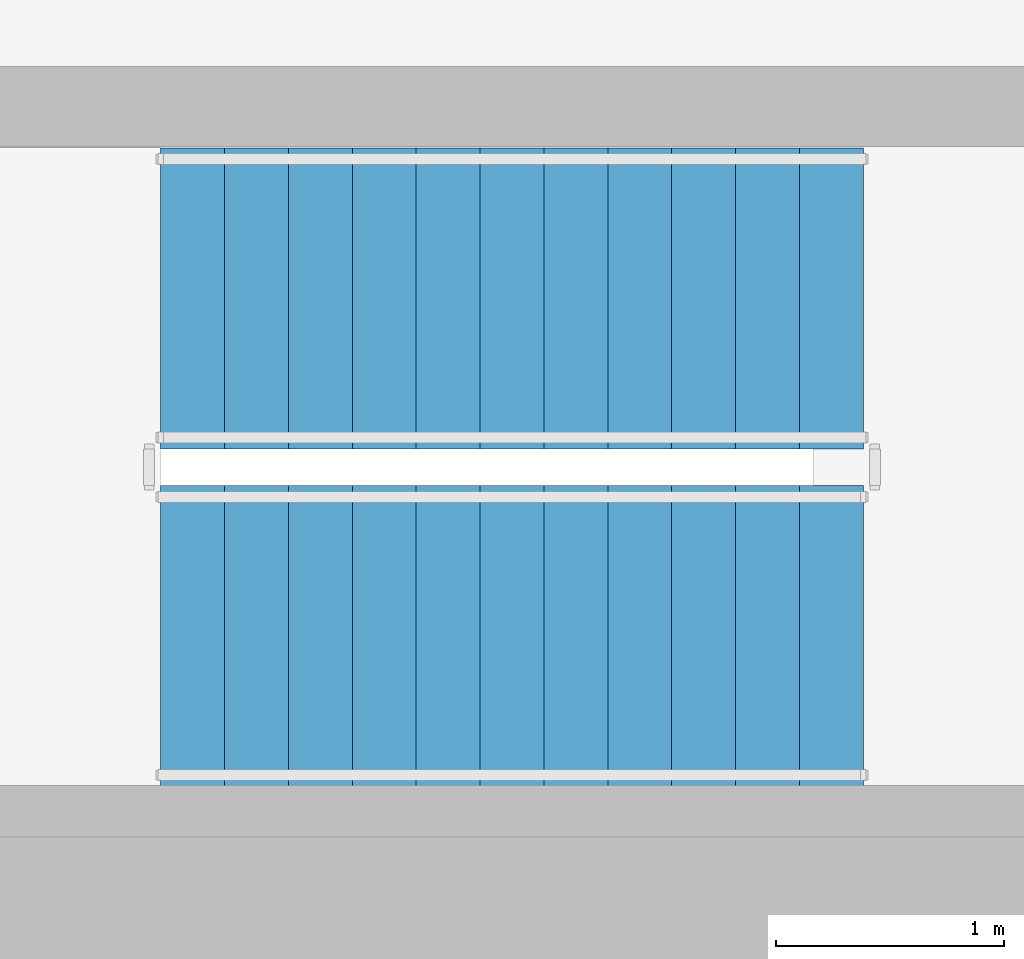
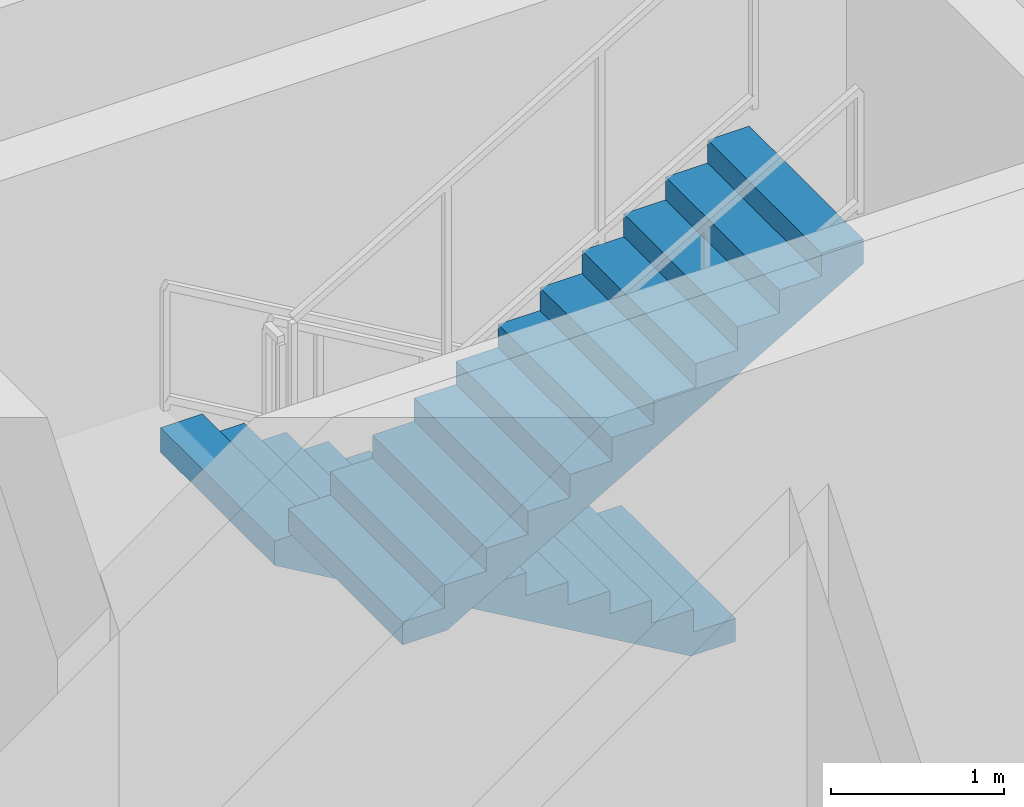
# One storey, part 24 of 27: 2 stair flights, 1 element without a shape of its own.
"""IFC4 building model written with IfcOpenShell, lengths in metres."""

import ifcopenshell
import ifcopenshell.guid

model = None  # the IFC model being written
_history = None  # IfcOwnerHistory: only IFC2X3 demands one
_inside = {}  # id of a spatial element -> (the spatial element, [elements in it])
_under = {}  # id of a project, library or spatial element -> (it, [spatial elements below it])
_declared = {}  # id of a project -> (the project, [libraries it declares])
_typed = {}  # id of a type object -> (the type object, [elements of that type])
_made_of = {}  # id of a material, layer set ... -> (it, [elements and type objects made of it])


def new_model(schema):
    """Start an empty IFC model of exactly this schema.

    Asked for "IFC4X3", IfcOpenShell would pick the latest addendum, in which some entities
    have other attributes; the version numbers below select the first issue.
    IFC2X3 requires an IfcOwnerHistory on every rooted entity: one is made here for all.
    """
    global model, _history
    if schema == "IFC4X3":
        model = ifcopenshell.file(schema_version=(4, 3, 0, 0))
    else:
        model = ifcopenshell.file(schema=schema)
    _inside.clear()
    _under.clear()
    _declared.clear()
    _typed.clear()
    _made_of.clear()
    _history = None
    if model.schema == "IFC2X3":
        org = make("IfcOrganization", Name="unknown")
        user = make(
            "IfcPersonAndOrganization",
            ThePerson=make("IfcPerson", FamilyName="unknown"),
            TheOrganization=org,
        )
        app = make(
            "IfcApplication",
            ApplicationDeveloper=org,
            Version="unknown",
            ApplicationFullName="unknown",
            ApplicationIdentifier="unknown",
        )
        _history = make(
            "IfcOwnerHistory",
            OwningUser=user,
            OwningApplication=app,
            ChangeAction="ADDED",
            CreationDate=0,
        )
    return model


def make(cls, **values):
    """One entity of the class cls with the attributes given. An attribute that is None is left unset."""
    return model.create_entity(
        cls, **{name: value for name, value in values.items() if value is not None}
    )


def rooted(cls, **values):
    """An entity with a GlobalId (a new one), such as an element, a storey or a relation."""
    return make(cls, GlobalId=ifcopenshell.guid.new(), OwnerHistory=_history, **values)


def si_unit(unit_type, name, prefix=None):
    """IfcSIUnit, for example si_unit("LENGTHUNIT", "METRE", prefix="MILLI")."""
    return make("IfcSIUnit", UnitType=unit_type, Prefix=prefix, Name=name)


def assignment(units):
    """IfcUnitAssignment: the units of a project."""
    return None if units is None else make("IfcUnitAssignment", Units=units)


def point(xyz):
    """IfcCartesianPoint."""
    return None if xyz is None else make("IfcCartesianPoint", Coordinates=xyz)


def direction(xyz):
    """IfcDirection."""
    return None if xyz is None else make("IfcDirection", DirectionRatios=xyz)


def frame(location, z_axis=None, x_axis=None):
    """IfcAxis2Placement3D, a coordinate frame: its origin and axes. An axis left out is left unset."""
    return make(
        "IfcAxis2Placement3D",
        Location=point(location),
        Axis=direction(z_axis),
        RefDirection=direction(x_axis),
    )


def origin():
    """The frame at (0, 0, 0) with its axes left unset."""
    return frame((0.0, 0.0, 0.0))


def place(relative_to, where):
    """IfcLocalPlacement: puts the frame where relative to a parent placement (None: the world)."""
    return make(
        "IfcLocalPlacement", PlacementRelTo=relative_to, RelativePlacement=where
    )


def context(
    kind, dimensions, precision=None, world=None, true_north=None, identifier=None
):
    """IfcGeometricRepresentationContext, for example the 3D "Model" context."""
    return make(
        "IfcGeometricRepresentationContext",
        ContextIdentifier=identifier,
        ContextType=kind,
        CoordinateSpaceDimension=dimensions,
        Precision=precision,
        WorldCoordinateSystem=world,
        TrueNorth=true_north,
    )


def subcontext(parent, identifier, kind, view, scale=None):
    """IfcGeometricRepresentationSubContext, for example "Body" below "Model"."""
    return make(
        "IfcGeometricRepresentationSubContext",
        ContextIdentifier=identifier,
        ContextType=kind,
        ParentContext=parent,
        TargetScale=scale,
        TargetView=view,
    )


def project(units=None, contexts=None):
    """IfcProject with its units and contexts."""
    return rooted(
        "IfcProject",
        Name="project",
        RepresentationContexts=contexts,
        UnitsInContext=assignment(units),
    )


def spatial(cls, under=None, at=None, **own):
    """A site, building, storey or space (cls), placed at a placement, below another one or the project."""
    s = rooted(cls, ObjectPlacement=at, **own)
    if under is not None:
        _under.setdefault(under.id(), (under, []))[1].append(s)
    return s


def polyline(points):
    """IfcPolyline through the points."""
    return make("IfcPolyline", Points=[point(p) for p in points])


def outline(outer, holes=None, kind="AREA"):
    """IfcArbitraryClosedProfileDef: a profile drawn as a closed curve; with holes, ...WithVoids."""
    if holes is None:
        return make("IfcArbitraryClosedProfileDef", ProfileType=kind, OuterCurve=outer)
    return make(
        "IfcArbitraryProfileDefWithVoids",
        ProfileType=kind,
        OuterCurve=outer,
        InnerCurves=holes,
    )


def extrude(swept, where, along, depth):
    """IfcExtrudedAreaSolid: the profile swept, set in the frame where, extruded along a direction by depth."""
    return make(
        "IfcExtrudedAreaSolid",
        SweptArea=swept,
        Position=where,
        ExtrudedDirection=direction(along),
        Depth=depth,
    )


def shape(context_of_items, identifier, shape_type, items):
    """IfcShapeRepresentation: the items that make up one representation, for example the "Body"."""
    return make(
        "IfcShapeRepresentation",
        ContextOfItems=context_of_items,
        RepresentationIdentifier=identifier,
        RepresentationType=shape_type,
        Items=items,
    )


def material(Name=None, Category=None):
    """IfcMaterial."""
    return make("IfcMaterial", Name=Name, Category=Category)


def made_of(thing, what):
    """Note that an element or type object is made of a material, layer set ...; save() writes the relation."""
    if what is not None:
        _made_of.setdefault(what.id(), (what, []))[1].append(thing)
    return thing


def type_object(cls, material=None, **own):
    """A type object (cls), such as IfcWallType, which elements share."""
    return made_of(rooted(cls, **own), material)


def element(
    cls,
    number,
    at=None,
    inside=None,
    cuts=None,
    type_object=None,
    material=None,
    context=None,
    identifier="Body",
    shape_type=None,
    held_by="IfcProductDefinitionShape",
    body=None,
    shapes=None,
    **own,
):
    """One element of the class cls, such as IfcWall. Its Tag is "e" and its number.

    at: its placement. inside: the storey or other place that contains it. cuts: it is an
    opening in that element (IfcRelVoidsElement). A single representation is given by context,
    identifier, shape_type and body (its items); several are given by shapes. held_by: the class
    of the entity that holds the representations. save() writes the other relations.
    """
    e = rooted(cls, Tag="e%d" % number, ObjectPlacement=at, **own)
    if body is not None:
        shapes = [shape(context, identifier, shape_type, body)]
    if shapes is not None:
        e.Representation = make(held_by, Representations=shapes)
    if inside is not None:
        _inside.setdefault(inside.id(), (inside, []))[1].append(e)
    if cuts is not None:
        rooted(
            "IfcRelVoidsElement", RelatingBuildingElement=cuts, RelatedOpeningElement=e
        )
    if type_object is not None:
        _typed.setdefault(type_object.id(), (type_object, []))[1].append(e)
    return made_of(e, material)


def aggregate(whole, parts):
    """IfcRelAggregates: a whole, such as a stair, and the parts it consists of."""
    return rooted("IfcRelAggregates", RelatingObject=whole, RelatedObjects=parts)


def save(model, path):
    """Write the relations noted so far, then the file.

    IfcRelAggregates (storeys below a building ...), IfcRelContainedInSpatialStructure (elements
    in a storey), IfcRelDefinesByType, IfcRelAssociatesMaterial and IfcRelDeclares: one each for
    every whole, place, type object, material and project.
    """
    for whole, parts in _under.values():
        aggregate(whole, parts)
    for where, things in _inside.values():
        rooted(
            "IfcRelContainedInSpatialStructure",
            RelatedElements=things,
            RelatingStructure=where,
        )
    for kind, things in _typed.values():
        rooted("IfcRelDefinesByType", RelatedObjects=things, RelatingType=kind)
    for what, things in _made_of.values():
        rooted("IfcRelAssociatesMaterial", RelatedObjects=things, RelatingMaterial=what)
    for by, libraries in _declared.values():
        rooted("IfcRelDeclares", RelatingContext=by, RelatedDefinitions=libraries)
    model.write(path)


model = new_model("IFC4")

# Units and contexts
model_context = context("Model", 3, precision=1e-05, world=origin(), true_north=direction((0.0, 1.0)))
body_context = subcontext(model_context, "Body", "Model", "MODEL_VIEW")
ifc_project = project(units=[si_unit("LENGTHUNIT", "METRE"), si_unit("AREAUNIT", "SQUARE_METRE"), si_unit("VOLUMEUNIT", "CUBIC_METRE"), si_unit("PLANEANGLEUNIT", "RADIAN"), si_unit("MASSUNIT", "GRAM", prefix="KILO")], contexts=[model_context])

# Site, building, storey
site_placement = place(None, origin())
site = spatial("IfcSite", under=ifc_project, at=site_placement, CompositionType="ELEMENT")
building_placement = place(site_placement, origin())
building = spatial("IfcBuilding", under=site, at=building_placement, Name="Khorvyn Point Tower", CompositionType="ELEMENT")
storey_placement = place(building_placement, frame((0.0, 0.0, 179.699951171875)))
storey = spatial("IfcBuildingStorey", under=building, at=storey_placement, Name="L44", CompositionType="ELEMENT", Elevation=179.699951171875)

# Stair, stair flights
ifc_material = material(Name="Concrete C40/50", Category="concrete")
stair_type = type_object("IfcStairType", Name="Tower Concrete C40/50 Dogleg Exit Stair", PredefinedType="HALF_TURN_STAIR", material=ifc_material)
stair_placement = place(storey_placement, origin())
stair = element("IfcStair", 1, at=stair_placement, inside=storey, type_object=stair_type, Name="L44 Tower Smokeproof Exit Stair North", PredefinedType="HALF_TURN_STAIR")
stair_flight_type = type_object("IfcStairFlightType", Name="Tower Concrete C40/50 Stair Flight", PredefinedType="STRAIGHT", material=ifc_material)
stair_flight_1_placement = place(storey_placement, frame((2.89990234375, 11.159912109375, 0.0), z_axis=(0.0, 0.0, 1.0), x_axis=(-1.0, 0.0, 0.0)))
stair_flight_1 = element("IfcStairFlight", 2, at=stair_flight_1_placement, type_object=stair_flight_type, Name="ST-02 flight 1", NumberOfRisers=12, NumberOfTreads=11, PredefinedType="STRAIGHT", RiserHeight=0.1625, TreadLength=0.28, context=body_context, shape_type="SweptSolid", body=[
    extrude(outline(polyline([(0.0, 0.0), (0.0, 0.16259765625), (0.280029296875, 0.16259765625), (0.280029296875, 0.324951171875), (0.56005859375, 0.324951171875), (0.56005859375, 0.487548828125), (0.840087890625, 0.487548828125), (0.840087890625, 0.64990234375), (1.1201171875, 0.64990234375), (1.1201171875, 0.8125), (1.39990234375, 0.8125), (1.39990234375, 0.97509765625), (1.679931640625, 0.97509765625), (1.679931640625, 1.137451171875), (1.9599609375, 1.137451171875), (1.9599609375, 1.300048828125), (2.239990234375, 1.300048828125), (2.239990234375, 1.46240234375), (2.52001953125, 1.46240234375), (2.52001953125, 1.625), (2.800048828125, 1.625), (2.800048828125, 1.78759765625), (3.080078125, 1.78759765625), (3.080078125, 1.949951171875), (3.080078125, 1.6142578125), (0.298583984375, 0.0), (0.0, 0.0)])), frame((0.0, 0.66015625, 0.0), z_axis=(0.0, -1.0, 0.0), x_axis=(1.0, 0.0, 0.0)), (0.0, 0.0, 1.0), 1.320068359375),
])
stair_flight_2_placement = place(storey_placement, frame((-0.179931640625, 9.679931640625, 1.949951171875), z_axis=(0.0, 0.0, 1.0), x_axis=(1.0, 0.0, 0.0)))
stair_flight_2 = element("IfcStairFlight", 3, at=stair_flight_2_placement, type_object=stair_flight_type, Name="ST-02 flight 2", NumberOfRisers=12, NumberOfTreads=11, PredefinedType="STRAIGHT", RiserHeight=0.1625, TreadLength=0.28, context=body_context, shape_type="SweptSolid", body=[
    extrude(outline(polyline([(0.0, 0.0), (0.0, 0.16259765625), (0.280029296875, 0.16259765625), (0.280029296875, 0.324951171875), (0.56005859375, 0.324951171875), (0.56005859375, 0.487548828125), (0.840087890625, 0.487548828125), (0.840087890625, 0.64990234375), (1.1201171875, 0.64990234375), (1.1201171875, 0.8125), (1.39990234375, 0.8125), (1.39990234375, 0.97509765625), (1.679931640625, 0.97509765625), (1.679931640625, 1.137451171875), (1.9599609375, 1.137451171875), (1.9599609375, 1.300048828125), (2.239990234375, 1.300048828125), (2.239990234375, 1.46240234375), (2.52001953125, 1.46240234375), (2.52001953125, 1.625), (2.800048828125, 1.625), (2.800048828125, 1.78759765625), (3.080078125, 1.78759765625), (3.080078125, 1.949951171875), (3.080078125, 1.6142578125), (0.298583984375, 0.0), (0.0, 0.0)])), frame((0.0, 0.66015625, 0.0), z_axis=(0.0, -1.0, 0.0), x_axis=(1.0, 0.0, 0.0)), (0.0, 0.0, 1.0), 1.320068359375),
])
aggregate(stair, [stair_flight_1, stair_flight_2])

save(model, "model.ifc")
